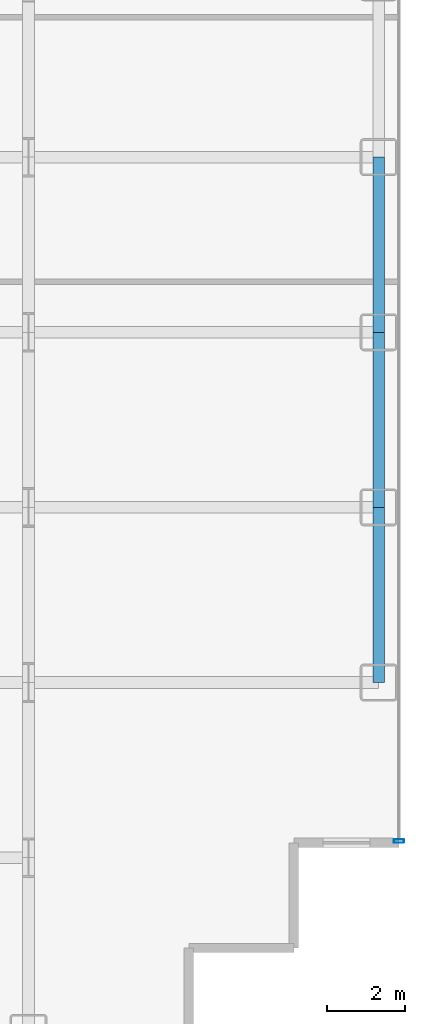
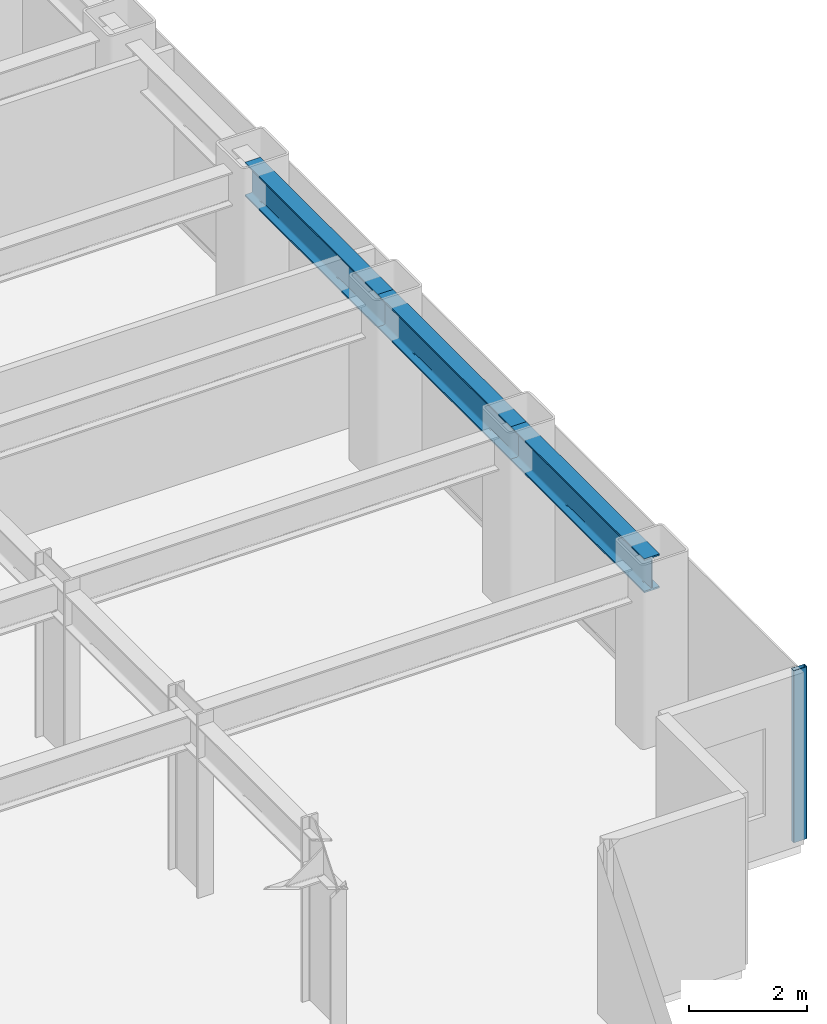
# One storey, part 16 of 26: 3 beams, 1 member, 1 element without a shape of its own.
"""IFC4 building model written with IfcOpenShell, lengths in metres."""

from ifc_helpers import new_model, si_unit, direction, frame, origin, origin_2d, place, context, subcontext, project, spatial, hollow_rectangle, i_section, extrude, source, transform, mapped, material, layer, layer_set, material_profile, profile_set, type_object, element, aggregate, save


model = new_model("IFC4")

# Units and contexts
model_context = context("Model", 3, precision=1e-05, world=origin(), true_north=direction((0.0, 1.0)))
body_context = subcontext(model_context, "Body", "Model", "MODEL_VIEW")
ifc_project = project(units=[si_unit("LENGTHUNIT", "METRE"), si_unit("AREAUNIT", "SQUARE_METRE"), si_unit("VOLUMEUNIT", "CUBIC_METRE"), si_unit("PLANEANGLEUNIT", "RADIAN"), si_unit("MASSUNIT", "GRAM", prefix="KILO")], contexts=[model_context])

# Site, building, storey
site_placement = place(None, origin())
site = spatial("IfcSite", under=ifc_project, at=site_placement, CompositionType="ELEMENT")
building_placement = place(site_placement, origin())
building = spatial("IfcBuilding", under=site, at=building_placement, Name="Nefas-Gora Pilgrimage Tower", CompositionType="ELEMENT")
storey_placement = place(building_placement, frame((0.0, 0.0, 106.0)))
storey = spatial("IfcBuildingStorey", under=building, at=storey_placement, Name="L25", CompositionType="ELEMENT", Elevation=106.0)

# Beams
ifc_material_1 = material(Name="Steel S355", Category="steel")
ifc_material_profile_1 = material_profile(ifc_material_1, i_section(OverallWidth=0.300048828125, OverallDepth=0.699951171875, WebThickness=0.01708984375, FlangeThickness=0.031982421875, FilletRadius=0.027099609375, at=origin_2d()), Name="HEB 700")
ifc_profile_set_1 = profile_set([ifc_material_profile_1], Name="Steel S355")
beam_type = type_object("IfcBeamType", Name="BM-SPN-HEB600", PredefinedType="SPANDREL", material=ifc_profile_set_1)
shared_shape_1 = source(origin(), body_context, "Body", "SweptSolid", [
    extrude(i_section(OverallWidth=0.300048828125, OverallDepth=0.699951171875, WebThickness=0.01708984375, FlangeThickness=0.031982421875, FilletRadius=0.027099609375, at=origin_2d()), origin(), (0.0, 0.0, 1.0), 4.5),
])
for number, where, z_axis, x_axis, name in (
    (1, (33.75, -13.5, 3.199951171875), (0.0, 1.0, 0.0), (-1.0, 0.0, 0.0), "L25 SP-01 beam"),
    (2, (33.75, -9.0, 3.199951171875), (0.0, 1.0, 0.0), (-1.0, 0.0, 0.0), "L25 SP-01 beam"),
    (3, (33.75, -4.5, 3.199951171875), (0.0, 1.0, 0.0), (-1.0, 0.0, 0.0), "L25 SP-01 beam"),
):
    element("IfcBeam", number, at=place(storey_placement, frame(where, z_axis=z_axis, x_axis=x_axis)), inside=storey, type_object=beam_type, Name=name, PredefinedType="SPANDREL", context=body_context, shape_type="MappedRepresentation", body=[
        mapped(shared_shape_1, transform((0.0, 0.0, 0.0), x_axis=(1.0, 0.0, 0.0), y_axis=(0.0, 1.0, 0.0), z_axis=(0.0, 0.0, 1.0), scale=1.0)),
    ])

# Curtain wall, member
ifc_material_2 = material(Name="Dark ceramic-fritted solar-control aluminium-glass curtain wall", Category="aluminium")
ifc_layer = layer(ifc_material_2, 0.219970703125)
ifc_layer_set = layer_set([ifc_layer], Name="Dark ceramic-fritted solar-control aluminium-glass curtain wall")
curtain_wall_type = type_object("IfcCurtainWallType", Name="CW-SYS-2", PredefinedType="NOTDEFINED", material=ifc_layer_set)
curtain_wall_placement = place(storey_placement, origin())
curtain_wall = element("IfcCurtainWall", 4, at=curtain_wall_placement, inside=storey, type_object=curtain_wall_type, Name="L25 Unitised Curtain Wall CW2", PredefinedType="NOTDEFINED")
ifc_material_3 = material(Name="Anodised architectural aluminium", Category="aluminium")
ifc_material_profile_2 = material_profile(ifc_material_3, hollow_rectangle(XDim=0.090087890625, YDim=0.260009765625, WallThickness=0.006103515625, InnerFilletRadius=0.006103515625, OuterFilletRadius=0.011962890625, at=origin_2d()), Name="ALU MULLION 90x260")
ifc_profile_set_2 = profile_set([ifc_material_profile_2], Name="Anodised architectural aluminium")
member_type = type_object("IfcMemberType", Name="CWM-MUL-2", PredefinedType="MULLION", material=ifc_profile_set_2)
shared_shape_2 = source(origin(), body_context, "Body", "SweptSolid", [
    extrude(hollow_rectangle(XDim=0.090087890625, YDim=0.260009765625, WallThickness=0.006103515625, InnerFilletRadius=0.006103515625, OuterFilletRadius=0.011962890625, at=origin_2d()), origin(), (0.0, 0.0, 1.0), 3.550048828125),
])
member_placement = place(storey_placement, frame((34.27001953125, -17.574951171875, 0.0), z_axis=(0.0, 0.0, 1.0), x_axis=(0.0, 1.0, 0.0)))
member = element("IfcMember", 5, at=member_placement, type_object=member_type, Name="CW2 Mullion 1", PredefinedType="MULLION", context=body_context, shape_type="MappedRepresentation", body=[
    mapped(shared_shape_2, transform((0.0, 0.0, 0.0), x_axis=(1.0, 0.0, 0.0), y_axis=(0.0, 1.0, 0.0), z_axis=(0.0, 0.0, 1.0), scale=1.0)),
])
aggregate(curtain_wall, [member])

save(model, "model.ifc")
